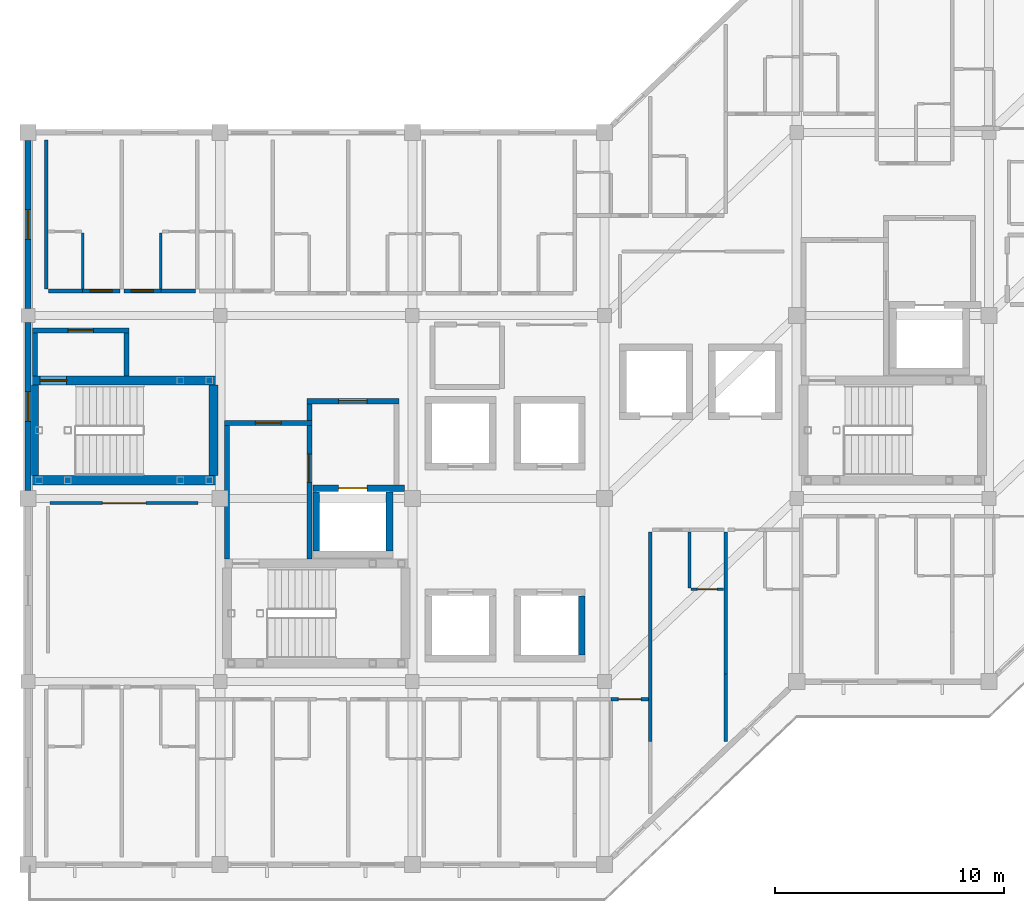
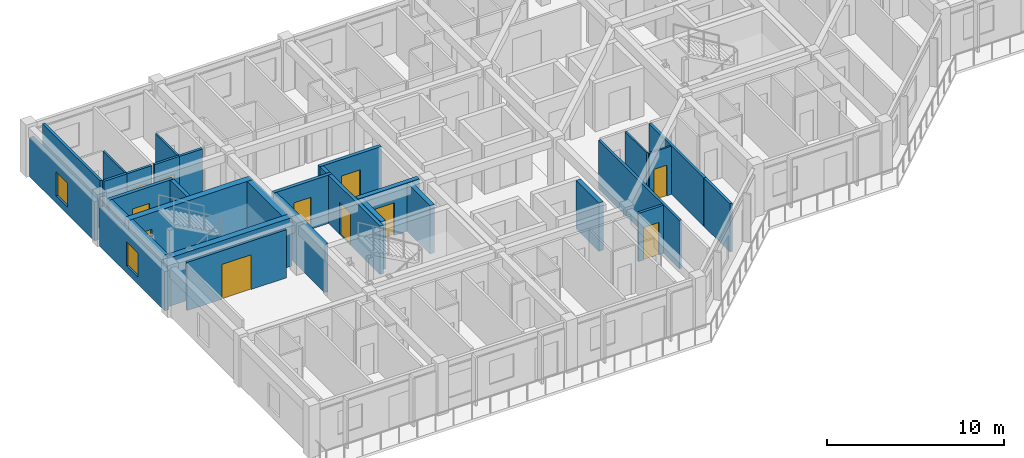
# One storey, part 6 of 15: 32 walls, 11 doors, 2 windows, 13 openings.
"""IFC4 building model written with IfcOpenShell, lengths in metres."""

from ifc_helpers import new_model, si_unit, direction, frame, frame_2d, origin, place, context, subcontext, project, spatial, rectangle, extrude, material, layer, layer_set, type_object, element, fill, save


model = new_model("IFC4")

# Units and contexts
model_context = context("Model", 3, precision=1e-05, world=origin(), true_north=direction((0.0, 1.0)))
body_context = subcontext(model_context, "Body", "Model", "MODEL_VIEW")
ifc_project = project(units=[si_unit("LENGTHUNIT", "METRE"), si_unit("AREAUNIT", "SQUARE_METRE"), si_unit("VOLUMEUNIT", "CUBIC_METRE"), si_unit("PLANEANGLEUNIT", "RADIAN"), si_unit("MASSUNIT", "GRAM", prefix="KILO")], contexts=[model_context])

# Site, building, storey
site_placement = place(None, origin())
site = spatial("IfcSite", under=ifc_project, at=site_placement, CompositionType="ELEMENT")
building_placement = place(site_placement, origin())
building = spatial("IfcBuilding", under=site, at=building_placement, Name="Naruveol Harbour Congress Hotel", CompositionType="ELEMENT")
storey_placement = place(building_placement, frame((0.0, 0.0, 32.39990234375)))
storey = spatial("IfcBuildingStorey", under=building, at=storey_placement, Name="L07", CompositionType="ELEMENT", Elevation=32.39990234375)

# Wall, opening, door
ifc_material_1 = material(Name="Acoustic Double Stud Gypsum", Category="gypsum")
ifc_layer_1 = layer(ifc_material_1, 0.139892578125)
ifc_layer_set_1 = layer_set([ifc_layer_1], Name="Acoustic Double Stud Gypsum")
wall_type_1 = type_object("IfcWallType", Name="ACOUSTIC MEETING PARTITION WALL 140", PredefinedType="PARTITIONING", material=ifc_layer_set_1)
wall_1_placement = place(storey_placement, frame((118.56005859375, 15.800048828125, 0.0), z_axis=(0.0, 0.0, 1.0), x_axis=(1.0, 0.0, 0.0)))
wall_1 = element("IfcWall", 1, at=wall_1_placement, inside=storey, type_object=wall_type_1, Name="Executive Harbour Lounge north entry wall PW-140", PredefinedType="PARTITIONING", context=body_context, shape_type="SweptSolid", body=[
    extrude(rectangle(XDim=6.47998046875, YDim=0.139892578125, at=frame_2d((3.239990234375, 0.0))), origin(), (0.0, 0.0, 1.0), 3.335205078125),
])
opening_1_placement = place(wall_1_placement, frame((2.2900390625, 0.0, 0.0)))
opening_1 = element("IfcOpeningElement", 2, at=opening_1_placement, cuts=wall_1, Name="Opening ID-LG-114", PredefinedType="OPENING", context=body_context, shape_type="SweptSolid", body=[
    extrude(rectangle(XDim=1.89990234375, YDim=2.39990234375, at=frame_2d((0.949951171875, 1.199951171875))), frame((0.0, 0.079833984375, 0.0), z_axis=(0.0, -1.0, 0.0), x_axis=(1.0, 0.0, 0.0)), (0.0, 0.0, 1.0), 0.159912109375),
])
ifc_material_2 = material(Name="Timber & Steel Acoustic Leaf", Category="steel")
door_type_1 = type_object("IfcDoorType", Name="RESTAURANT AND LOUNGE GLAZED DOOR 1900X2400", OperationType="DOUBLE_DOOR_SINGLE_SWING", PredefinedType="DOOR", material=ifc_material_2)
door_1_placement = place(opening_1_placement, origin())
door_1 = element("IfcDoor", 3, at=door_1_placement, inside=storey, type_object=door_type_1, Name="Executive Harbour Lounge Entrance Door", OperationType="DOUBLE_DOOR_SINGLE_SWING", OverallHeight=2.39990234375, OverallWidth=1.89990234375, PredefinedType="DOOR", context=body_context, shape_type="SweptSolid", body=[
    extrude(rectangle(XDim=1.89990234375, YDim=2.39990234375, at=frame_2d((0.949951171875, 1.199951171875))), frame((0.0, 0.02490234375, 0.0), z_axis=(0.0, -1.0, 0.0), x_axis=(1.0, 0.0, 0.0)), (0.0, 0.0, 1.0), 0.050048828125),
])
fill(opening_1, door_1)

# Wall, opening, window
ifc_material_3 = material(Name="Precast concrete C40/50", Category="concrete")
ifc_layer_2 = layer(ifc_material_3, 0.280029296875)
ifc_layer_set_2 = layer_set([ifc_layer_2], Name="Precast concrete C40/50")
wall_type_2 = type_object("IfcWallType", Name="ARCHITECTURAL PRECAST FACADE WALL 280", PredefinedType="SOLIDWALL", material=ifc_layer_set_2)
wall_2_placement = place(storey_placement, frame((117.60009765625, 16.35009765625, 0.0), z_axis=(0.0, 0.0, 1.0), x_axis=(0.0, 1.0, 0.0)))
wall_2 = element("IfcWall", 4, at=wall_2_placement, inside=storey, type_object=wall_type_2, Name="Hotel west gable wall L07 EW-280", PredefinedType="SOLIDWALL", context=body_context, shape_type="SweptSolid", body=[
    extrude(rectangle(XDim=7.349853515625, YDim=0.280029296875, at=frame_2d((3.6748046875, 0.0))), origin(), (0.0, 0.0, 1.0), 2.7001953125),
])
opening_2_placement = place(wall_2_placement, frame((3.02490234375, 0.0, 0.5)))
opening_2 = element("IfcOpeningElement", 5, at=opening_2_placement, cuts=wall_2, Name="Opening W-27", PredefinedType="OPENING", context=body_context, shape_type="SweptSolid", body=[
    extrude(rectangle(XDim=1.300048828125, YDim=1.64990234375, at=frame_2d((0.64990234375, 0.824951171875))), frame((0.0, 0.14990234375, 0.0), z_axis=(0.0, -1.0, 0.0), x_axis=(1.0, 0.0, 0.0)), (0.0, 0.0, 1.0), 0.300048828125),
])
ifc_material_4 = material(Name="Low-E Triple Glazing in Thermal Aluminium", Category="aluminium")
window_type = type_object("IfcWindowType", Name="READING SALON TALL WINDOW 1300X1650", PartitioningType="SINGLE_PANEL", PredefinedType="WINDOW", material=ifc_material_4)
window_1_placement = place(opening_2_placement, origin())
window_1 = element("IfcWindow", 6, at=window_1_placement, inside=storey, type_object=window_type, Name="Window W-27 #413", OverallHeight=1.64990234375, OverallWidth=1.300048828125, PartitioningType="SINGLE_PANEL", PredefinedType="WINDOW", context=body_context, shape_type="SweptSolid", body=[
    extrude(rectangle(XDim=1.300048828125, YDim=1.64990234375, at=frame_2d((0.64990234375, 0.824951171875))), frame((0.0, 0.030029296875, 0.0), z_axis=(0.0, -1.0, 0.0), x_axis=(1.0, 0.0, 0.0)), (0.0, 0.0, 1.0), 0.06005859375),
])
fill(opening_2, window_1)

wall_3_placement = place(storey_placement, frame((117.60009765625, 24.300048828125, 0.0), z_axis=(0.0, 0.0, 1.0), x_axis=(0.0, 1.0, 0.0)))
wall_3 = element("IfcWall", 7, at=wall_3_placement, inside=storey, type_object=wall_type_2, Name="Hotel west gable wall L07 EW-280", PredefinedType="SOLIDWALL", context=body_context, shape_type="SweptSolid", body=[
    extrude(rectangle(XDim=7.349853515625, YDim=0.280029296875, at=frame_2d((3.6748046875, 0.0))), origin(), (0.0, 0.0, 1.0), 2.7001953125),
])
opening_3_placement = place(wall_3_placement, frame((3.02490234375, 0.0, 0.5)))
opening_3 = element("IfcOpeningElement", 8, at=opening_3_placement, cuts=wall_3, Name="Opening W-27", PredefinedType="OPENING", context=body_context, shape_type="SweptSolid", body=[
    extrude(rectangle(XDim=1.300048828125, YDim=1.64990234375, at=frame_2d((0.64990234375, 0.824951171875))), frame((0.0, 0.14990234375, 0.0), z_axis=(0.0, -1.0, 0.0), x_axis=(1.0, 0.0, 0.0)), (0.0, 0.0, 1.0), 0.300048828125),
])
window_2_placement = place(opening_3_placement, origin())
window_2 = element("IfcWindow", 9, at=window_2_placement, inside=storey, type_object=window_type, Name="Window W-27 #414", OverallHeight=1.64990234375, OverallWidth=1.300048828125, PartitioningType="SINGLE_PANEL", PredefinedType="WINDOW", context=body_context, shape_type="SweptSolid", body=[
    extrude(rectangle(XDim=1.300048828125, YDim=1.64990234375, at=frame_2d((0.64990234375, 0.824951171875))), frame((0.0, 0.030029296875, 0.0), z_axis=(0.0, -1.0, 0.0), x_axis=(1.0, 0.0, 0.0)), (0.0, 0.0, 1.0), 0.06005859375),
])
fill(opening_3, window_2)

# Walls
ifc_material_5 = material(Name="Moisture-Resistant Gypsum Partition", Category="gypsum")
ifc_layer_3 = layer(ifc_material_5, 0.114990234375)
ifc_layer_set_3 = layer_set([ifc_layer_3], Name="Moisture-Resistant Gypsum Partition")
wall_type_3 = type_object("IfcWallType", Name="BATHROOM MOISTURE PARTITION WALL 115", PredefinedType="PARTITIONING", material=ifc_layer_set_3)
for number, where, z_axis, x_axis, name in (
    (10, (119.989990234375, 25.159912109375, 0.0), (0.0, 0.0, 1.0), (0.0, 1.0, 0.0), "Bathroom east wall 0804 PW-115"),
    (11, (123.409912109375, 25.159912109375, 0.0), (0.0, 0.0, 1.0), (0.0, 1.0, 0.0), "Bathroom west wall 0805 PW-115"),
):
    element("IfcWall", number, at=place(storey_placement, frame(where, z_axis=z_axis, x_axis=x_axis)), inside=storey, type_object=wall_type_3, Name=name, PredefinedType="PARTITIONING", context=body_context, shape_type="SweptSolid", body=[
        extrude(rectangle(XDim=2.4501953125, YDim=0.114990234375, at=frame_2d((1.22509765625, 0.0))), origin(), (0.0, 0.0, 1.0), 3.335205078125),
    ])
wall_4_placement = place(storey_placement, frame((146.510009765625, 12.090087890625, 0.0), z_axis=(0.0, 0.0, 1.0), x_axis=(0.0, 1.0, 0.0)))
element("IfcWall", 12, at=wall_4_placement, inside=storey, type_object=wall_type_3, Name="Bathroom west wall 0895 PW-115", PredefinedType="PARTITIONING", context=body_context, shape_type="SweptSolid", body=[
    extrude(rectangle(XDim=2.449951171875, YDim=0.114990234375, at=frame_2d((1.22509765625, 0.0))), origin(), (0.0, 0.0, 1.0), 3.335205078125),
])

# Wall, opening, door
wall_5_placement = place(storey_placement, frame((146.570068359375, 12.030029296875, 0.0), z_axis=(0.0, 0.0, 1.0), x_axis=(1.0, 0.0, 0.0)))
wall_5 = element("IfcWall", 13, at=wall_5_placement, inside=storey, type_object=wall_type_3, Name="Bathroom south wall 0895 PW-115", PredefinedType="PARTITIONING", context=body_context, shape_type="SweptSolid", body=[
    extrude(rectangle(XDim=1.429931640625, YDim=0.114990234375, at=frame_2d((0.71484375, 0.0))), origin(), (0.0, 0.0, 1.0), 3.335205078125),
])
opening_4_placement = place(wall_5_placement, frame((0.284912109375, 0.0, 0.0)))
opening_4 = element("IfcOpeningElement", 14, at=opening_4_placement, cuts=wall_5, Name="Opening BD-RM0895", PredefinedType="OPENING", context=body_context, shape_type="SweptSolid", body=[
    extrude(rectangle(XDim=0.860107421875, YDim=2.1201171875, at=frame_2d((0.43017578125, 1.06005859375))), frame((0.0, 0.0673828125, 0.0), z_axis=(0.0, -1.0, 0.0), x_axis=(1.0, 0.0, 0.0)), (0.0, 0.0, 1.0), 0.135009765625),
])
ifc_material_6 = material(Name="Timber & Steel Acoustic Leaf", Category="steel")
door_type_2 = type_object("IfcDoorType", Name="GUEST BATHROOM DOOR 860X2120", OperationType="NOTDEFINED", PredefinedType="DOOR", material=ifc_material_6)
door_2_placement = place(opening_4_placement, origin())
door_2 = element("IfcDoor", 15, at=door_2_placement, inside=storey, type_object=door_type_2, Name="Bathroom Door 0895", OperationType="SINGLE_SWING_RIGHT", OverallHeight=2.1201171875, OverallWidth=0.860107421875, PredefinedType="DOOR", context=body_context, shape_type="SweptSolid", body=[
    extrude(rectangle(XDim=0.860107421875, YDim=2.1201171875, at=frame_2d((0.43017578125, 1.06005859375))), frame((0.0, 0.02490234375, 0.0), z_axis=(0.0, -1.0, 0.0), x_axis=(1.0, 0.0, 0.0)), (0.0, 0.0, 1.0), 0.050048828125),
])
fill(opening_4, door_2)

# Wall
ifc_material_7 = material(Name="Concrete C40/50", Category="concrete")
ifc_layer_4 = layer(ifc_material_7, 0.219970703125)
ifc_layer_set_4 = layer_set([ifc_layer_4], Name="Concrete C40/50")
wall_type_4 = type_object("IfcWallType", Name="FIRE COMPARTMENT AND LOBBY WALL 220 EI120", PredefinedType="PARTITIONING", material=ifc_layer_set_4)
wall_6_placement = place(storey_placement, frame((126.300048828125, 13.364990234375, 0.0), z_axis=(0.0, 0.0, 1.0), x_axis=(0.0, 1.0, 0.0)))
element("IfcWall", 16, at=wall_6_placement, inside=storey, type_object=wall_type_4, Name="Smoke vestibule ST1 west wall FW-220", PredefinedType="PARTITIONING", context=body_context, shape_type="SweptSolid", body=[
    extrude(rectangle(XDim=5.820068359375, YDim=0.219970703125, at=frame_2d((2.91015625, 0.0))), origin(), (0.0, 0.0, 1.0), 3.335205078125),
])

# Wall, opening, door
wall_7_placement = place(storey_placement, frame((126.18994140625, 19.300048828125, 0.0), z_axis=(0.0, 0.0, 1.0), x_axis=(1.0, 0.0, 0.0)))
wall_7 = element("IfcWall", 17, at=wall_7_placement, inside=storey, type_object=wall_type_4, Name="Smoke vestibule ST1 north wall FW-220", PredefinedType="PARTITIONING", context=body_context, shape_type="SweptSolid", body=[
    extrude(rectangle(XDim=3.820068359375, YDim=0.219970703125, at=frame_2d((1.91015625, 0.0))), origin(), (0.0, 0.0, 1.0), 3.335205078125),
])
opening_5_placement = place(wall_7_placement, frame((1.35009765625, 0.0, 0.0)))
opening_5 = element("IfcOpeningElement", 18, at=opening_5_placement, cuts=wall_7, Name="Opening FD-ST1-V-L07", PredefinedType="OPENING", context=body_context, shape_type="SweptSolid", body=[
    extrude(rectangle(XDim=1.1201171875, YDim=2.199951171875, at=frame_2d((0.56005859375, 1.10009765625))), frame((0.0, 0.119873046875, 0.0), z_axis=(0.0, -1.0, 0.0), x_axis=(1.0, 0.0, 0.0)), (0.0, 0.0, 1.0), 0.239990234375),
])
ifc_material_8 = material(Name="Timber & Steel Acoustic Leaf", Category="steel")
door_type_3 = type_object("IfcDoorType", Name="VESTIBULE SMOKE CONTROL FIRE DOOR 1120X2200", OperationType="NOTDEFINED", PredefinedType="DOOR", material=ifc_material_8)
door_3_placement = place(opening_5_placement, origin())
door_3 = element("IfcDoor", 19, at=door_3_placement, inside=storey, type_object=door_type_3, Name="Smoke Vestibule Entry Door ST1 L07", OperationType="SINGLE_SWING_LEFT", OverallHeight=2.199951171875, OverallWidth=1.1201171875, PredefinedType="DOOR", context=body_context, shape_type="SweptSolid", body=[
    extrude(rectangle(XDim=1.1201171875, YDim=2.199951171875, at=frame_2d((0.56005859375, 1.10009765625))), frame((0.0, 0.02490234375, 0.0), z_axis=(0.0, -1.0, 0.0), x_axis=(1.0, 0.0, 0.0)), (0.0, 0.0, 1.0), 0.050048828125),
])
fill(opening_5, door_3)

wall_8_placement = place(storey_placement, frame((129.89990234375, 13.364990234375, 0.0), z_axis=(0.0, 0.0, 1.0), x_axis=(0.0, 1.0, 0.0)))
wall_8 = element("IfcWall", 20, at=wall_8_placement, inside=storey, type_object=wall_type_4, Name="Smoke vestibule ST1 east wall FW-220", PredefinedType="PARTITIONING", context=body_context, shape_type="SweptSolid", body=[
    extrude(rectangle(XDim=5.820068359375, YDim=0.219970703125, at=frame_2d((2.91015625, 0.0))), origin(), (0.0, 0.0, 1.0), 3.335205078125),
])
opening_6_placement = place(wall_8_placement, frame((3.3349609375, 0.0, 0.0)))
opening_6 = element("IfcOpeningElement", 21, at=opening_6_placement, cuts=wall_8, Name="Opening FD-FFL-ST1-L07", PredefinedType="OPENING", context=body_context, shape_type="SweptSolid", body=[
    extrude(rectangle(XDim=1.239990234375, YDim=2.199951171875, at=frame_2d((0.6201171875, 1.10009765625))), frame((0.0, 0.119873046875, 0.0), z_axis=(0.0, -1.0, 0.0), x_axis=(1.0, 0.0, 0.0)), (0.0, 0.0, 1.0), 0.239990234375),
])
ifc_material_9 = material(Name="Timber & Steel Acoustic Leaf", Category="steel")
door_type_4 = type_object("IfcDoorType", Name="FIREFIGHTING LOBBY FIRE DOOR 1240X2200", OperationType="NOTDEFINED", PredefinedType="DOOR", material=ifc_material_9)
door_4_placement = place(opening_6_placement, origin())
door_4 = element("IfcDoor", 22, at=door_4_placement, inside=storey, type_object=door_type_4, Name="Firefighting Lobby Vestibule Door ST1 L07", OperationType="SINGLE_SWING_RIGHT", OverallHeight=2.199951171875, OverallWidth=1.239990234375, PredefinedType="DOOR", context=body_context, shape_type="SweptSolid", body=[
    extrude(rectangle(XDim=1.239990234375, YDim=2.199951171875, at=frame_2d((0.6201171875, 1.10009765625))), frame((0.0, 0.02490234375, 0.0), z_axis=(0.0, -1.0, 0.0), x_axis=(1.0, 0.0, 0.0)), (0.0, 0.0, 1.0), 0.050048828125),
])
fill(opening_6, door_4)

# Wall
wall_9_placement = place(storey_placement, frame((129.89990234375, 19.4150390625, 0.0), z_axis=(0.0, 0.0, 1.0), x_axis=(0.0, 1.0, 0.0)))
element("IfcWall", 23, at=wall_9_placement, inside=storey, type_object=wall_type_4, Name="Firefighting lift lobby ST1 upper west wall FW-220", PredefinedType="PARTITIONING", context=body_context, shape_type="SweptSolid", body=[
    extrude(rectangle(XDim=0.719970703125, YDim=0.219970703125, at=frame_2d((0.35986328125, 0.0))), origin(), (0.0, 0.0, 1.0), 3.335205078125),
])

# Wall, opening, door
wall_10_placement = place(storey_placement, frame((129.7900390625, 20.25, 0.0), z_axis=(0.0, 0.0, 1.0), x_axis=(1.0, 0.0, 0.0)))
wall_10 = element("IfcWall", 24, at=wall_10_placement, inside=storey, type_object=wall_type_4, Name="Firefighting lift lobby ST1 north wall FW-220", PredefinedType="PARTITIONING", context=body_context, shape_type="SweptSolid", body=[
    extrude(rectangle(XDim=4.02001953125, YDim=0.219970703125, at=frame_2d((2.010009765625, 0.0))), origin(), (0.0, 0.0, 1.0), 3.335205078125),
])
opening_7_placement = place(wall_10_placement, frame((1.389892578125, 0.0, 0.0)))
opening_7 = element("IfcOpeningElement", 25, at=opening_7_placement, cuts=wall_10, Name="Opening FD-FFC-ST1-L07", PredefinedType="OPENING", context=body_context, shape_type="SweptSolid", body=[
    extrude(rectangle(XDim=1.239990234375, YDim=2.199951171875, at=frame_2d((0.6201171875, 1.10009765625))), frame((0.0, 0.119873046875, 0.0), z_axis=(0.0, -1.0, 0.0), x_axis=(1.0, 0.0, 0.0)), (0.0, 0.0, 1.0), 0.239990234375),
])
door_5_placement = place(opening_7_placement, origin())
door_5 = element("IfcDoor", 26, at=door_5_placement, inside=storey, type_object=door_type_4, Name="Firefighting Lobby Corridor Door ST1 L07", OperationType="SINGLE_SWING_LEFT", OverallHeight=2.199951171875, OverallWidth=1.239990234375, PredefinedType="DOOR", context=body_context, shape_type="SweptSolid", body=[
    extrude(rectangle(XDim=1.239990234375, YDim=2.199951171875, at=frame_2d((0.6201171875, 1.10009765625))), frame((0.0, 0.02490234375, 0.0), z_axis=(0.0, -1.0, 0.0), x_axis=(1.0, 0.0, 0.0)), (0.0, 0.0, 1.0), 0.050048828125),
])
fill(opening_7, door_5)

# Wall
wall_11_placement = place(storey_placement, frame((117.89990234375, 21.364990234375, 0.0), z_axis=(0.0, 0.0, 1.0), x_axis=(0.0, 1.0, 0.0)))
element("IfcWall", 27, at=wall_11_placement, inside=storey, type_object=wall_type_4, Name="Smoke vestibule ST3 west wall FW-220", PredefinedType="PARTITIONING", context=body_context, shape_type="SweptSolid", body=[
    extrude(rectangle(XDim=1.8701171875, YDim=0.219970703125, at=frame_2d((0.93505859375, 0.0))), origin(), (0.0, 0.0, 1.0), 3.335205078125),
])

# Wall, opening, door
wall_12_placement = place(storey_placement, frame((117.7900390625, 23.35009765625, 0.0), z_axis=(0.0, 0.0, 1.0), x_axis=(1.0, 0.0, 0.0)))
wall_12 = element("IfcWall", 28, at=wall_12_placement, inside=storey, type_object=wall_type_4, Name="Smoke vestibule ST3 north wall FW-220", PredefinedType="PARTITIONING", context=body_context, shape_type="SweptSolid", body=[
    extrude(rectangle(XDim=4.219970703125, YDim=0.219970703125, at=frame_2d((2.10986328125, 0.0))), origin(), (0.0, 0.0, 1.0), 3.335205078125),
])
opening_8_placement = place(wall_12_placement, frame((1.550048828125, 0.0, 0.0)))
opening_8 = element("IfcOpeningElement", 29, at=opening_8_placement, cuts=wall_12, Name="Opening FD-ST3-V-L07", PredefinedType="OPENING", context=body_context, shape_type="SweptSolid", body=[
    extrude(rectangle(XDim=1.1201171875, YDim=2.199951171875, at=frame_2d((0.56005859375, 1.10009765625))), frame((0.0, 0.119873046875, 0.0), z_axis=(0.0, -1.0, 0.0), x_axis=(1.0, 0.0, 0.0)), (0.0, 0.0, 1.0), 0.239990234375),
])
door_6_placement = place(opening_8_placement, origin())
door_6 = element("IfcDoor", 30, at=door_6_placement, inside=storey, type_object=door_type_3, Name="Smoke Vestibule Entry Door ST3 L07", OperationType="SINGLE_SWING_LEFT", OverallHeight=2.199951171875, OverallWidth=1.1201171875, PredefinedType="DOOR", context=body_context, shape_type="SweptSolid", body=[
    extrude(rectangle(XDim=1.1201171875, YDim=2.199951171875, at=frame_2d((0.56005859375, 1.10009765625))), frame((0.0, 0.02490234375, 0.0), z_axis=(0.0, -1.0, 0.0), x_axis=(1.0, 0.0, 0.0)), (0.0, 0.0, 1.0), 0.050048828125),
])
fill(opening_8, door_6)

# Walls
wall_13_placement = place(storey_placement, frame((121.89990234375, 21.364990234375, 0.0), z_axis=(0.0, 0.0, 1.0), x_axis=(0.0, 1.0, 0.0)))
element("IfcWall", 31, at=wall_13_placement, inside=storey, type_object=wall_type_4, Name="Smoke vestibule ST3 east wall FW-220", PredefinedType="PARTITIONING", context=body_context, shape_type="SweptSolid", body=[
    extrude(rectangle(XDim=1.8701171875, YDim=0.219970703125, at=frame_2d((0.93505859375, 0.0))), origin(), (0.0, 0.0, 1.0), 3.335205078125),
])
ifc_material_10 = material(Name="Autoclaved Aerated Concrete Block", Category="concrete")
ifc_layer_5 = layer(ifc_material_10, 0.159912109375)
ifc_layer_set_5 = layer_set([ifc_layer_5], Name="Autoclaved Aerated Concrete Block")
wall_type_5 = type_object("IfcWallType", Name="HOTEL PARTY AND CORRIDOR WALL 160 EI60", PredefinedType="PARTITIONING", material=ifc_layer_set_5)
wall_14_placement = place(storey_placement, frame((118.489990234375, 25.070068359375, 0.0), z_axis=(0.0, 0.0, 1.0), x_axis=(1.0, 0.0, 0.0)))
element("IfcWall", 32, at=wall_14_placement, inside=storey, type_object=wall_type_5, Name="Corridor wall 0804B PW-160", PredefinedType="PARTITIONING", context=body_context, shape_type="SweptSolid", body=[
    extrude(rectangle(XDim=1.489990234375, YDim=0.159912109375, at=frame_2d((0.7451171875, 0.0))), origin(), (0.0, 0.0, 1.0), 3.335205078125),
])

# Wall, opening, door
wall_15_placement = place(storey_placement, frame((119.989990234375, 25.070068359375, 0.0), z_axis=(0.0, 0.0, 1.0), x_axis=(1.0, 0.0, 0.0)))
wall_15 = element("IfcWall", 33, at=wall_15_placement, inside=storey, type_object=wall_type_5, Name="Corridor entry wall 0804 PW-160", PredefinedType="PARTITIONING", context=body_context, shape_type="SweptSolid", body=[
    extrude(rectangle(XDim=1.6201171875, YDim=0.159912109375, at=frame_2d((0.81005859375, 0.0))), origin(), (0.0, 0.0, 1.0), 3.335205078125),
])
opening_9_placement = place(wall_15_placement, frame((0.330078125, 0.0, 0.0)))
opening_9 = element("IfcOpeningElement", 34, at=opening_9_placement, cuts=wall_15, Name="Opening FD-RM0804", PredefinedType="OPENING", context=body_context, shape_type="SweptSolid", body=[
    extrude(rectangle(XDim=0.9599609375, YDim=2.199951171875, at=frame_2d((0.47998046875, 1.10009765625))), frame((0.0, 0.08984375, 0.0), z_axis=(0.0, -1.0, 0.0), x_axis=(1.0, 0.0, 0.0)), (0.0, 0.0, 1.0), 0.179931640625),
])
ifc_material_11 = material(Name="Timber & Steel Acoustic Leaf", Category="steel")
door_type_5 = type_object("IfcDoorType", Name="GUEST ROOM ENTRANCE FIRE DOOR 960X2200", OperationType="NOTDEFINED", PredefinedType="DOOR", material=ifc_material_11)
door_7_placement = place(opening_9_placement, origin())
door_7 = element("IfcDoor", 35, at=door_7_placement, inside=storey, type_object=door_type_5, Name="Hotel Room Door 0804", OperationType="SINGLE_SWING_LEFT", OverallHeight=2.199951171875, OverallWidth=0.9599609375, PredefinedType="DOOR", context=body_context, shape_type="SweptSolid", body=[
    extrude(rectangle(XDim=0.9599609375, YDim=2.199951171875, at=frame_2d((0.47998046875, 1.10009765625))), frame((0.0, 0.02490234375, 0.0), z_axis=(0.0, -1.0, 0.0), x_axis=(1.0, 0.0, 0.0)), (0.0, 0.0, 1.0), 0.050048828125),
])
fill(opening_9, door_7)

# Wall
wall_16_placement = place(storey_placement, frame((118.39990234375, 25.159912109375, 0.0), z_axis=(0.0, 0.0, 1.0), x_axis=(0.0, 1.0, 0.0)))
element("IfcWall", 36, at=wall_16_placement, inside=storey, type_object=wall_type_5, Name="Hotel party wall 0804 PW-160", PredefinedType="PARTITIONING", context=body_context, shape_type="SweptSolid", body=[
    extrude(rectangle(XDim=6.5, YDim=0.159912109375, at=frame_2d((3.25, 0.0))), origin(), (0.0, 0.0, 1.0), 3.335205078125),
])

# Wall, opening, door
wall_17_placement = place(storey_placement, frame((121.7900390625, 25.070068359375, 0.0), z_axis=(0.0, 0.0, 1.0), x_axis=(1.0, 0.0, 0.0)))
wall_17 = element("IfcWall", 37, at=wall_17_placement, inside=storey, type_object=wall_type_5, Name="Corridor entry wall 0805 PW-160", PredefinedType="PARTITIONING", context=body_context, shape_type="SweptSolid", body=[
    extrude(rectangle(XDim=1.619873046875, YDim=0.159912109375, at=frame_2d((0.81005859375, 0.0))), origin(), (0.0, 0.0, 1.0), 3.335205078125),
])
opening_10_placement = place(wall_17_placement, frame((0.330078125, 0.0, 0.0)))
opening_10 = element("IfcOpeningElement", 38, at=opening_10_placement, cuts=wall_17, Name="Opening FD-RM0805", PredefinedType="OPENING", context=body_context, shape_type="SweptSolid", body=[
    extrude(rectangle(XDim=0.9599609375, YDim=2.199951171875, at=frame_2d((0.47998046875, 1.10009765625))), frame((0.0, 0.08984375, 0.0), z_axis=(0.0, -1.0, 0.0), x_axis=(1.0, 0.0, 0.0)), (0.0, 0.0, 1.0), 0.179931640625),
])
door_8_placement = place(opening_10_placement, origin())
door_8 = element("IfcDoor", 39, at=door_8_placement, inside=storey, type_object=door_type_5, Name="Hotel Room Door 0805", OperationType="SINGLE_SWING_LEFT", OverallHeight=2.199951171875, OverallWidth=0.9599609375, PredefinedType="DOOR", context=body_context, shape_type="SweptSolid", body=[
    extrude(rectangle(XDim=0.9599609375, YDim=2.199951171875, at=frame_2d((0.47998046875, 1.10009765625))), frame((0.0, 0.02490234375, 0.0), z_axis=(0.0, -1.0, 0.0), x_axis=(1.0, 0.0, 0.0)), (0.0, 0.0, 1.0), 0.050048828125),
])
fill(opening_10, door_8)

# Wall
wall_18_placement = place(storey_placement, frame((123.419921875, 25.070068359375, 0.0), z_axis=(0.0, 0.0, 1.0), x_axis=(1.0, 0.0, 0.0)))
element("IfcWall", 40, at=wall_18_placement, inside=storey, type_object=wall_type_5, Name="Corridor wall 0805B PW-160", PredefinedType="PARTITIONING", context=body_context, shape_type="SweptSolid", body=[
    extrude(rectangle(XDim=1.489990234375, YDim=0.159912109375, at=frame_2d((0.7451171875, 0.0))), origin(), (0.0, 0.0, 1.0), 3.335205078125),
])

# Wall, opening, door
wall_19_placement = place(storey_placement, frame((143.090087890625, 7.22998046875, 0.0), z_axis=(0.0, 0.0, 1.0), x_axis=(1.0, 0.0, 0.0)))
wall_19 = element("IfcWall", 41, at=wall_19_placement, inside=storey, type_object=wall_type_5, Name="Corridor entry wall 0894 PW-160", PredefinedType="PARTITIONING", context=body_context, shape_type="SweptSolid", body=[
    extrude(rectangle(XDim=1.619873046875, YDim=0.159912109375, at=frame_2d((0.81005859375, 0.0))), origin(), (0.0, 0.0, 1.0), 3.335205078125),
])
opening_11_placement = place(wall_19_placement, frame((0.31005859375, 0.0, 0.0)))
opening_11 = element("IfcOpeningElement", 42, at=opening_11_placement, cuts=wall_19, Name="Opening FD-RM0894", PredefinedType="OPENING", context=body_context, shape_type="SweptSolid", body=[
    extrude(rectangle(XDim=1.0, YDim=2.25, at=frame_2d((0.5, 1.125))), frame((0.0, 0.08984375, 0.0), z_axis=(0.0, -1.0, 0.0), x_axis=(1.0, 0.0, 0.0)), (0.0, 0.0, 1.0), 0.179931640625),
])
ifc_material_12 = material(Name="Timber & Steel Acoustic Leaf", Category="steel")
door_type_6 = type_object("IfcDoorType", Name="DELUXE GUEST ENTRANCE FIRE DOOR 1000X2250", OperationType="NOTDEFINED", PredefinedType="DOOR", material=ifc_material_12)
door_9_placement = place(opening_11_placement, origin())
door_9 = element("IfcDoor", 43, at=door_9_placement, inside=storey, type_object=door_type_6, Name="Hotel Room Door 0894", OperationType="SINGLE_SWING_LEFT", OverallHeight=2.25, OverallWidth=1.0, PredefinedType="DOOR", context=body_context, shape_type="SweptSolid", body=[
    extrude(rectangle(XDim=1.0, YDim=2.25, at=frame_2d((0.5, 1.125))), frame((0.0, 0.02490234375, 0.0), z_axis=(0.0, -1.0, 0.0), x_axis=(1.0, 0.0, 0.0)), (0.0, 0.0, 1.0), 0.050048828125),
])
fill(opening_11, door_9)

# Walls
wall_20_placement = place(storey_placement, frame((144.800048828125, 5.389892578125, 0.0), z_axis=(0.0, 0.0, 1.0), x_axis=(0.0, 1.0, 0.0)))
element("IfcWall", 44, at=wall_20_placement, inside=storey, type_object=wall_type_5, Name="Hotel party wall 0895 PW-160", PredefinedType="PARTITIONING", context=body_context, shape_type="SweptSolid", body=[
    extrude(rectangle(XDim=9.150146484375, YDim=0.159912109375, at=frame_2d((4.5751953125, 0.0))), origin(), (0.0, 0.0, 1.0), 3.335205078125),
])
wall_21_placement = place(storey_placement, frame((148.10009765625, 5.389892578125, 0.0), z_axis=(0.0, 0.0, 1.0), x_axis=(0.0, 1.0, 0.0)))
element("IfcWall", 45, at=wall_21_placement, inside=storey, type_object=wall_type_5, Name="Hotel end party wall 0895 PW-160", PredefinedType="PARTITIONING", context=body_context, shape_type="SweptSolid", body=[
    extrude(rectangle(XDim=2.940185546875, YDim=0.159912109375, at=frame_2d((1.47021484375, 0.0))), origin(), (0.0, 0.0, 1.0), 3.335205078125),
])
wall_22_placement = place(storey_placement, frame((148.10009765625, 8.340087890625, 0.0), z_axis=(0.0, 0.0, 1.0), x_axis=(0.0, 1.0, 0.0)))
element("IfcWall", 46, at=wall_22_placement, inside=storey, type_object=wall_type_5, Name="Hotel party wall 0896 PW-160", PredefinedType="PARTITIONING", context=body_context, shape_type="SweptSolid", body=[
    extrude(rectangle(XDim=6.199951171875, YDim=0.159912109375, at=frame_2d((3.10009765625, 0.0))), origin(), (0.0, 0.0, 1.0), 3.335205078125),
])
ifc_material_13 = material(Name="Concrete C50/60", Category="concrete")
ifc_layer_6 = layer(ifc_material_13, 0.39990234375)
ifc_layer_set_6 = layer_set([ifc_layer_6], Name="Concrete C50/60")
wall_type_6 = type_object("IfcWallType", Name="RC CORE SHEAR WALL 400 EI120", PredefinedType="SHEAR", material=ifc_layer_set_6)
wall_23_placement = place(storey_placement, frame((117.75, 16.800048828125, 0.0), z_axis=(0.0, 0.0, 1.0), x_axis=(1.0, 0.0, 0.0)))
element("IfcWall", 47, at=wall_23_placement, inside=storey, type_object=wall_type_6, Name="Stair ST3 south core wall CW-400", PredefinedType="SHEAR", context=body_context, shape_type="SweptSolid", body=[
    extrude(rectangle(XDim=8.14990234375, YDim=0.39990234375, at=frame_2d((4.074951171875, 0.0))), origin(), (0.0, 0.0, 1.0), 3.335205078125),
])
wall_24_placement = place(storey_placement, frame((125.699951171875, 17.0048828125, 0.0), z_axis=(0.0, 0.0, 1.0), x_axis=(0.0, 1.0, 0.0)))
element("IfcWall", 48, at=wall_24_placement, inside=storey, type_object=wall_type_6, Name="Stair ST3 east core wall CW-400", PredefinedType="SHEAR", context=body_context, shape_type="SweptSolid", body=[
    extrude(rectangle(XDim=3.9501953125, YDim=0.39990234375, at=frame_2d((1.97509765625, 0.0))), origin(), (0.0, 0.0, 1.0), 3.335205078125),
])

# Wall, opening, door
wall_25_placement = place(storey_placement, frame((117.75, 21.159912109375, 0.0), z_axis=(0.0, 0.0, 1.0), x_axis=(1.0, 0.0, 0.0)))
wall_25 = element("IfcWall", 49, at=wall_25_placement, inside=storey, type_object=wall_type_6, Name="Stair ST3 north core wall CW-400", PredefinedType="SHEAR", context=body_context, shape_type="SweptSolid", body=[
    extrude(rectangle(XDim=8.14990234375, YDim=0.39990234375, at=frame_2d((4.074951171875, 0.0))), origin(), (0.0, 0.0, 1.0), 3.335205078125),
])
opening_12_placement = place(wall_25_placement, frame((0.3798828125, 0.0, 0.0)))
opening_12 = element("IfcOpeningElement", 50, at=opening_12_placement, cuts=wall_25, Name="Opening FD-ST3-S-L07", PredefinedType="OPENING", context=body_context, shape_type="SweptSolid", body=[
    extrude(rectangle(XDim=1.159912109375, YDim=2.199951171875, at=frame_2d((0.580078125, 1.10009765625))), frame((0.0, 0.2099609375, 0.0), z_axis=(0.0, -1.0, 0.0), x_axis=(1.0, 0.0, 0.0)), (0.0, 0.0, 1.0), 0.419921875),
])
ifc_material_14 = material(Name="Timber & Steel Acoustic Leaf", Category="steel")
door_type_7 = type_object("IfcDoorType", Name="SPECIAL ESCAPE STAIR FIRE DOOR 1160X2200", OperationType="NOTDEFINED", PredefinedType="DOOR", material=ifc_material_14)
door_10_placement = place(opening_12_placement, origin())
door_10 = element("IfcDoor", 51, at=door_10_placement, inside=storey, type_object=door_type_7, Name="Special Escape Stair Door ST3 L07", OperationType="SINGLE_SWING_RIGHT", OverallHeight=2.199951171875, OverallWidth=1.159912109375, PredefinedType="DOOR", context=body_context, shape_type="SweptSolid", body=[
    extrude(rectangle(XDim=1.159912109375, YDim=2.199951171875, at=frame_2d((0.580078125, 1.10009765625))), frame((0.0, 0.02490234375, 0.0), z_axis=(0.0, -1.0, 0.0), x_axis=(1.0, 0.0, 0.0)), (0.0, 0.0, 1.0), 0.050048828125),
])
fill(opening_12, door_10)

# Walls
ifc_material_15 = material(Name="Concrete C50/60", Category="concrete")
ifc_layer_7 = layer(ifc_material_15, 0.300048828125)
ifc_layer_set_7 = layer_set([ifc_layer_7], Name="Concrete C50/60")
wall_type_7 = type_object("IfcWallType", Name="RC STAIR AND HOISTWAY SHEAR WALL 300 EI120", PredefinedType="SHEAR", material=ifc_layer_set_7)
wall_26_placement = place(storey_placement, frame((141.800048828125, 9.155029296875, 0.0), z_axis=(0.0, 0.0, 1.0), x_axis=(0.0, 1.0, 0.0)))
element("IfcWall", 52, at=wall_26_placement, inside=storey, type_object=wall_type_7, Name="Hoistway east shear wall PL4 SW-300", PredefinedType="SHEAR", context=body_context, shape_type="SweptSolid", body=[
    extrude(rectangle(XDim=2.590087890625, YDim=0.300048828125, at=frame_2d((1.294921875, 0.0))), origin(), (0.0, 0.0, 1.0), 3.335205078125),
])
wall_27_placement = place(storey_placement, frame((133.39990234375, 13.705078125, 0.0), z_axis=(0.0, 0.0, 1.0), x_axis=(0.0, 1.0, 0.0)))
element("IfcWall", 53, at=wall_27_placement, inside=storey, type_object=wall_type_7, Name="Hoistway east shear wall FL1 SW-300", PredefinedType="SHEAR", context=body_context, shape_type="SweptSolid", body=[
    extrude(rectangle(XDim=2.58984375, YDim=0.300048828125, at=frame_2d((1.294921875, 0.0))), origin(), (0.0, 0.0, 1.0), 3.335205078125),
])

# Wall, opening, door
wall_28_placement = place(storey_placement, frame((134.06005859375, 16.449951171875, 0.0), z_axis=(0.0, 0.0, 1.0), x_axis=(-1.0, 0.0, 0.0)))
wall_28 = element("IfcWall", 54, at=wall_28_placement, inside=storey, type_object=wall_type_7, Name="Hoistway north shear wall FL1 SW-300", PredefinedType="SHEAR", context=body_context, shape_type="SweptSolid", body=[
    extrude(rectangle(XDim=4.010009765625, YDim=0.300048828125, at=frame_2d((2.0048828125, 0.0))), origin(), (0.0, 0.0, 1.0), 3.335205078125),
])
opening_13_placement = place(wall_28_placement, frame((1.635009765625, 0.0, 0.0)))
opening_13 = element("IfcOpeningElement", 55, at=opening_13_placement, cuts=wall_28, Name="Opening LD-FL1-L07", PredefinedType="OPENING", context=body_context, shape_type="SweptSolid", body=[
    extrude(rectangle(XDim=1.25, YDim=2.25, at=frame_2d((0.625, 1.125))), frame((0.0, 0.159912109375, 0.0), z_axis=(0.0, -1.0, 0.0), x_axis=(1.0, 0.0, 0.0)), (0.0, 0.0, 1.0), 0.320068359375),
])
ifc_material_16 = material(Name="Stainless Steel Lift Door", Category="steel")
door_type_8 = type_object("IfcDoorType", Name="FIREFIGHTING LIFT LANDING DOOR 1250X2250", OperationType="DOUBLE_DOOR_SLIDING", PredefinedType="DOOR", material=ifc_material_16)
door_11_placement = place(opening_13_placement, origin())
door_11 = element("IfcDoor", 56, at=door_11_placement, inside=storey, type_object=door_type_8, Name="Elevator Landing Door FL1 L07", OperationType="DOUBLE_DOOR_SLIDING", OverallHeight=2.25, OverallWidth=1.25, PredefinedType="DOOR", context=body_context, shape_type="SweptSolid", body=[
    extrude(rectangle(XDim=1.25, YDim=2.25, at=frame_2d((0.625, 1.125))), frame((0.0, 0.02490234375, 0.0), z_axis=(0.0, -1.0, 0.0), x_axis=(1.0, 0.0, 0.0)), (0.0, 0.0, 1.0), 0.050048828125),
])
fill(opening_13, door_11)

# Walls
wall_29_placement = place(storey_placement, frame((130.199951171875, 16.294921875, 0.0), z_axis=(0.0, 0.0, 1.0), x_axis=(0.0, -1.0, 0.0)))
element("IfcWall", 57, at=wall_29_placement, inside=storey, type_object=wall_type_7, Name="Hoistway west shear wall FL1 SW-300", PredefinedType="SHEAR", context=body_context, shape_type="SweptSolid", body=[
    extrude(rectangle(XDim=2.58984375, YDim=0.300048828125, at=frame_2d((1.294921875, 0.0))), origin(), (0.0, 0.0, 1.0), 3.335205078125),
])
wall_30_placement = place(storey_placement, frame((117.89990234375, 17.0048828125, 0.0), z_axis=(0.0, 0.0, 1.0), x_axis=(0.0, 1.0, 0.0)))
element("IfcWall", 58, at=wall_30_placement, inside=storey, type_object=wall_type_7, Name="Stair ST3 west core wall SW-300", PredefinedType="SHEAR", context=body_context, shape_type="SweptSolid", body=[
    extrude(rectangle(XDim=3.9501953125, YDim=0.300048828125, at=frame_2d((1.97509765625, 0.0))), origin(), (0.0, 0.0, 1.0), 3.335205078125),
])

save(model, "model.ifc")
